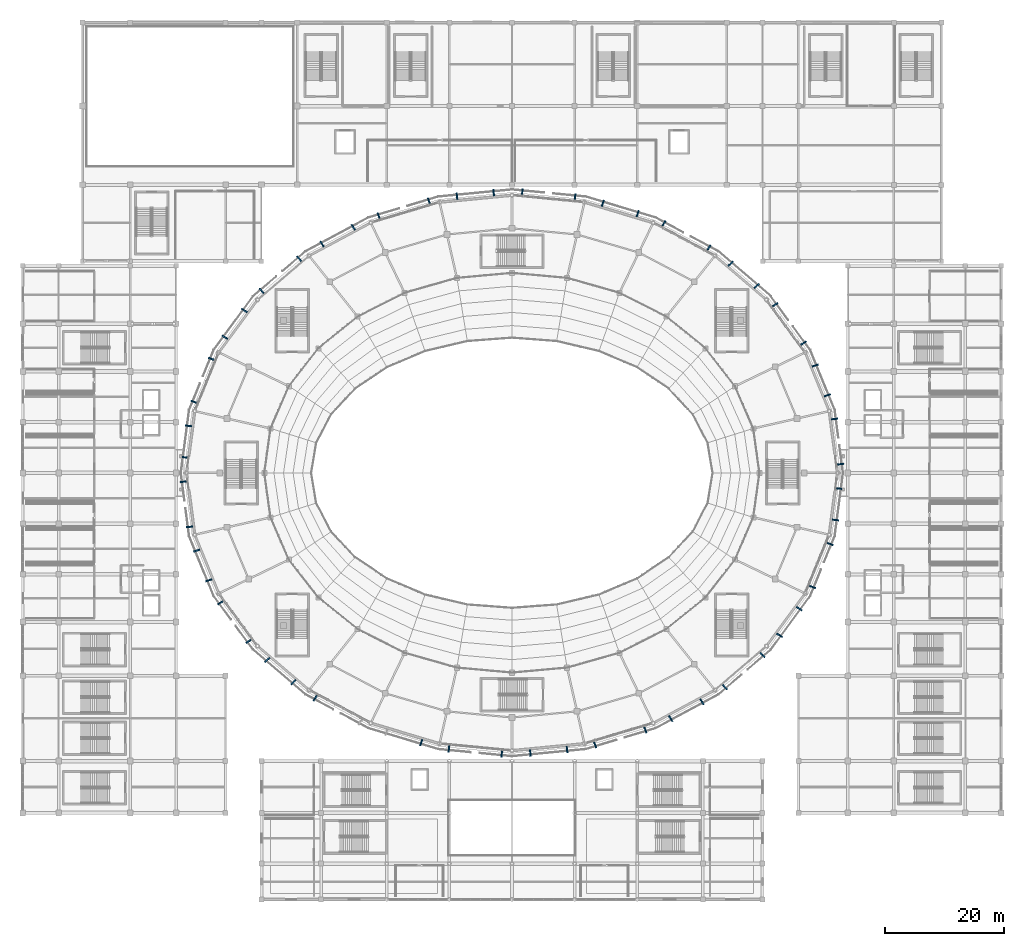
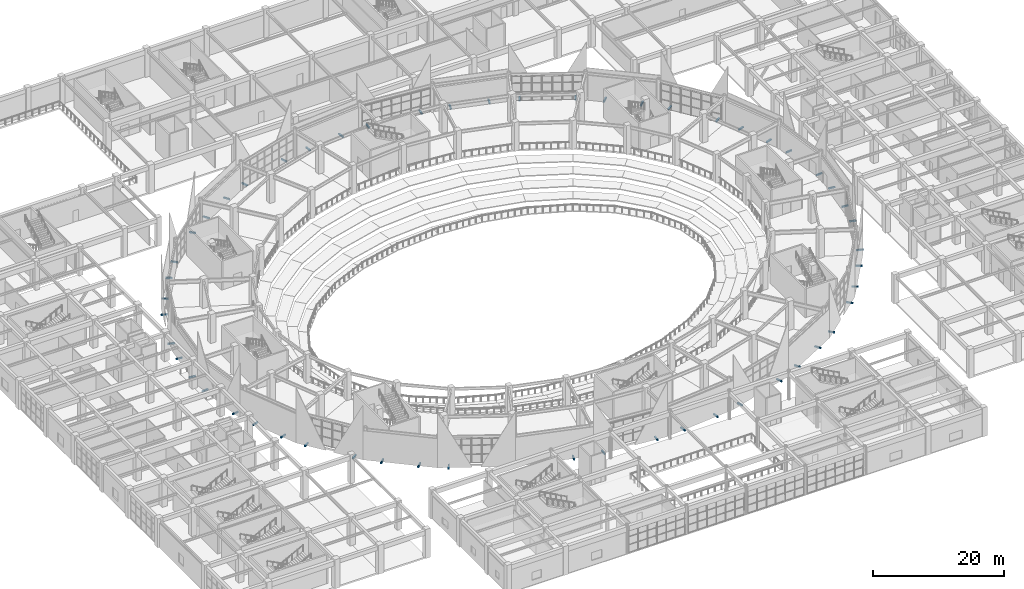
# One storey, part 89 of 120: 54 discrete accessories.
"""IFC4 building model written with IfcOpenShell, lengths in metres."""

from ifc_helpers import new_model, si_unit, direction, frame, origin, origin_2d, place, context, subcontext, project, spatial, rectangle, extrude, material, type_object, element, save


model = new_model("IFC4")

# Units and contexts
model_context = context("Model", 3, precision=1e-05, world=origin(), true_north=direction((0.0, 1.0)))
body_context = subcontext(model_context, "Body", "Model", "MODEL_VIEW")
ifc_project = project(units=[si_unit("LENGTHUNIT", "METRE"), si_unit("AREAUNIT", "SQUARE_METRE"), si_unit("VOLUMEUNIT", "CUBIC_METRE"), si_unit("PLANEANGLEUNIT", "RADIAN"), si_unit("MASSUNIT", "GRAM", prefix="KILO")], contexts=[model_context])

# Site, building, storey
site_placement = place(None, origin())
site = spatial("IfcSite", under=ifc_project, at=site_placement, CompositionType="ELEMENT")
building_placement = place(site_placement, origin())
building = spatial("IfcBuilding", under=site, at=building_placement, Name="Cuetzalor Civic Arena", CompositionType="ELEMENT")
storey_placement = place(building_placement, frame((0.0, 0.0, 6.0)))
storey = spatial("IfcBuildingStorey", under=building, at=storey_placement, Name="L01", CompositionType="ELEMENT", Elevation=6.0)

# Discrete accessories
ifc_material = material(Name="Steel S355", Category="steel")
discrete_accessory_type = type_object("IfcDiscreteAccessoryType", Name="ScreenOutriggerBracket_S355", PredefinedType="BRACKET", material=ifc_material)
for number, where, z_axis, x_axis, name in (
    (1, (54.083251953125, 9.046875, -0.27978515625), (0.0, 0.0, 1.0), (0.993709417943, 0.111989252568, 0.0), "Drum Screen Triangle Outrigger Bracket L01-0001"),
    (2, (55.0810546875, 1.472900390625, -0.27978515625), (0.0, 0.0, 1.0), (0.993709417943, 0.111989252568, 0.0), "Drum Screen Triangle Outrigger Bracket L01-0002"),
    (3, (50.822998046875, 18.013916015625, -0.27978515625), (0.0, 0.0, 1.0), (0.943858622852, 0.330349663339, 0.0), "Drum Screen Outrigger Bracket L01-0010"),
    (4, (52.8671875, 13.017578125, -0.27978515625), (0.0, 0.0, 1.0), (0.943858622852, 0.330349663339, 0.0), "Drum Screen Outrigger Bracket L01-0011"),
    (5, (44.1376953125, 28.220703125, -0.27978515625), (0.0, 0.0, 1.0), (0.846657866138, 0.532137630417, 0.0), "Drum Screen Triangle Outrigger Bracket L01-0021"),
    (6, (48.879150390625, 21.766845703125, -0.27978515625), (0.0, 0.0, 1.0), (0.846657866138, 0.532137630417, 0.0), "Drum Screen Triangle Outrigger Bracket L01-0022"),
    (7, (36.651611328125, 35.089599609375, -0.27978515625), (0.0, 0.0, 1.0), (0.707106781187, 0.707106781187, 0.0), "Drum Screen Outrigger Bracket L01-0030"),
    (8, (41.027587890625, 31.346923828125, -0.27978515625), (0.0, 0.0, 1.0), (0.707106781187, 0.707106781187, 0.0), "Drum Screen Outrigger Bracket L01-0031"),
    (9, (25.4501953125, 41.8046875, -0.27978515625), (0.0, 0.0, 1.0), (0.531989852639, 0.84675072878, 0.0), "Drum Screen Triangle Outrigger Bracket L01-0041"),
    (10, (32.99609375, 37.74951171875, -0.27978515625), (0.0, 0.0, 1.0), (0.531989852639, 0.84675072878, 0.0), "Drum Screen Triangle Outrigger Bracket L01-0042"),
    (11, (15.220703125, 45.215576171875, -0.27978515625), (0.0, 0.0, 1.0), (0.330184923902, 0.943916265369, 0.0), "Drum Screen Outrigger Bracket L01-0050"),
    (12, (21.06201171875, 43.46728515625, -0.27978515625), (0.0, 0.0, 1.0), (0.330184923902, 0.943916265369, 0.0), "Drum Screen Outrigger Bracket L01-0051"),
    (13, (1.721923828125, 47.109130859375, -0.27978515625), (0.0, 0.0, 1.0), (0.111989252568, 0.993709417943, 0.0), "Drum Screen Triangle Outrigger Bracket L01-0061"),
    (14, (10.577880859375, 46.255615234375, -0.27978515625), (0.0, 0.0, 1.0), (0.111989252568, 0.993709417943, 0.0), "Drum Screen Triangle Outrigger Bracket L01-0062"),
    (15, (-9.224853515625, 46.385986328125, -0.27978515625), (0.0, 0.0, 1.0), (-0.111989252568, 0.993709417943, 0.0), "Drum Screen Outrigger Bracket L01-0070"),
    (16, (-3.074951171875, 46.978759765625, -0.27978515625), (0.0, 0.0, 1.0), (-0.111989252568, 0.993709417943, 0.0), "Drum Screen Outrigger Bracket L01-0071"),
    (17, (-22.347412109375, 43.082763671875, -0.27978515625), (0.0, 0.0, 1.0), (-0.330184923902, 0.943916265369, 0.0), "Drum Screen Triangle Outrigger Bracket L01-0081"),
    (18, (-13.935546875, 45.60009765625, -0.27978515625), (0.0, 0.0, 1.0), (-0.330184923902, 0.943916265369, 0.0), "Drum Screen Triangle Outrigger Bracket L01-0082"),
    (19, (-31.84326171875, 38.369140625, -0.27978515625), (0.0, 0.0, 1.0), (-0.531989852639, 0.84675072878, 0.0), "Drum Screen Outrigger Bracket L01-0090"),
    (20, (-26.60302734375, 41.185302734375, -0.27978515625), (0.0, 0.0, 1.0), (-0.531989852639, 0.84675072878, 0.0), "Drum Screen Outrigger Bracket L01-0091"),
    (21, (-41.990478515625, 30.5234375, -0.27978515625), (0.0, 0.0, 1.0), (-0.707106781187, 0.707106781187, 0.0), "Drum Screen Triangle Outrigger Bracket L01-0101"),
    (22, (-35.688720703125, 35.9130859375, -0.27978515625), (0.0, 0.0, 1.0), (-0.707106781187, 0.707106781187, 0.0), "Drum Screen Triangle Outrigger Bracket L01-0102"),
    (23, (-48.15478515625, 22.752685546875, -0.27978515625), (0.0, 0.0, 1.0), (-0.846657866138, 0.532137630417, 0.0), "Drum Screen Outrigger Bracket L01-0110"),
    (24, (-44.862060546875, 27.234619140625, -0.27978515625), (0.0, 0.0, 1.0), (-0.846657866138, 0.532137630417, 0.0), "Drum Screen Outrigger Bracket L01-0111"),
    (25, (-53.31689453125, 11.918701171875, -0.27978515625), (0.0, 0.0, 1.0), (-0.943858622852, 0.330349663339, 0.0), "Drum Screen Triangle Outrigger Bracket L01-0121"),
    (26, (-50.373291015625, 19.11279296875, -0.27978515625), (0.0, 0.0, 1.0), (-0.943858622852, 0.330349663339, 0.0), "Drum Screen Triangle Outrigger Bracket L01-0122"),
    (27, (-54.928466796875, 2.6298828125, -0.27978515625), (0.0, 0.0, 1.0), (-0.993709417943, 0.111989252568, 0.0), "Drum Screen Outrigger Bracket L01-0130"),
    (28, (-54.235595703125, 7.8896484375, -0.27978515625), (0.0, 0.0, 1.0), (-0.993709417943, 0.111989252568, 0.0), "Drum Screen Outrigger Bracket L01-0131"),
    (29, (-54.083251953125, -9.046875, -0.27978515625), (0.0, 0.0, 1.0), (-0.993709417943, -0.111989252568, 0.0), "Drum Screen Triangle Outrigger Bracket L01-0141"),
    (30, (-55.0810546875, -1.472900390625, -0.27978515625), (0.0, 0.0, 1.0), (-0.993709417943, -0.111989252568, 0.0), "Drum Screen Triangle Outrigger Bracket L01-0142"),
    (31, (-50.822998046875, -18.013916015625, -0.27978515625), (0.0, 0.0, 1.0), (-0.943858622852, -0.330349663339, 0.0), "Drum Screen Outrigger Bracket L01-0150"),
    (32, (-52.8671875, -13.017578125, -0.27978515625), (0.0, 0.0, 1.0), (-0.943858622852, -0.330349663339, 0.0), "Drum Screen Outrigger Bracket L01-0151"),
    (33, (-44.1376953125, -28.220703125, -0.27978515625), (0.0, 0.0, 1.0), (-0.846657866138, -0.532137630417, 0.0), "Drum Screen Triangle Outrigger Bracket L01-0161"),
    (34, (-48.879150390625, -21.766845703125, -0.27978515625), (0.0, 0.0, 1.0), (-0.846657866138, -0.532137630417, 0.0), "Drum Screen Triangle Outrigger Bracket L01-0162"),
    (35, (-36.651611328125, -35.089599609375, -0.27978515625), (0.0, 0.0, 1.0), (-0.707106781187, -0.707106781187, 0.0), "Drum Screen Outrigger Bracket L01-0170"),
    (36, (-41.027587890625, -31.346923828125, -0.27978515625), (0.0, 0.0, 1.0), (-0.707106781187, -0.707106781187, 0.0), "Drum Screen Outrigger Bracket L01-0171"),
    (37, (-32.99609375, -37.74951171875, -0.27978515625), (0.0, 0.0, 1.0), (-0.531989852639, -0.84675072878, 0.0), "Drum Screen Triangle Outrigger Bracket L01-0182"),
    (38, (-15.220703125, -45.215576171875, -0.27978515625), (0.0, 0.0, 1.0), (-0.330184923902, -0.943916265369, 0.0), "Drum Screen Outrigger Bracket L01-0190"),
    (39, (-1.721923828125, -47.109130859375, -0.27978515625), (0.0, 0.0, 1.0), (-0.111989252568, -0.993709417943, 0.0), "Drum Screen Triangle Outrigger Bracket L01-0201"),
    (40, (-10.577880859375, -46.255615234375, -0.27978515625), (0.0, 0.0, 1.0), (-0.111989252568, -0.993709417943, 0.0), "Drum Screen Triangle Outrigger Bracket L01-0202"),
    (41, (9.224853515625, -46.385986328125, -0.27978515625), (0.0, 0.0, 1.0), (0.111989252568, -0.993709417943, 0.0), "Drum Screen Outrigger Bracket L01-0210"),
    (42, (3.074951171875, -46.978759765625, -0.27978515625), (0.0, 0.0, 1.0), (0.111989252568, -0.993709417943, 0.0), "Drum Screen Outrigger Bracket L01-0211"),
    (43, (22.347412109375, -43.082763671875, -0.27978515625), (0.0, 0.0, 1.0), (0.330184923902, -0.943916265369, 0.0), "Drum Screen Triangle Outrigger Bracket L01-0221"),
    (44, (13.935546875, -45.60009765625, -0.27978515625), (0.0, 0.0, 1.0), (0.330184923902, -0.943916265369, 0.0), "Drum Screen Triangle Outrigger Bracket L01-0222"),
    (45, (31.84326171875, -38.369140625, -0.27978515625), (0.0, 0.0, 1.0), (0.531989852639, -0.84675072878, 0.0), "Drum Screen Outrigger Bracket L01-0230"),
    (46, (26.60302734375, -41.185302734375, -0.27978515625), (0.0, 0.0, 1.0), (0.531989852639, -0.84675072878, 0.0), "Drum Screen Outrigger Bracket L01-0231"),
    (47, (41.990478515625, -30.5234375, -0.27978515625), (0.0, 0.0, 1.0), (0.707106781187, -0.707106781187, 0.0), "Drum Screen Triangle Outrigger Bracket L01-0241"),
    (48, (35.688720703125, -35.9130859375, -0.27978515625), (0.0, 0.0, 1.0), (0.707106781187, -0.707106781187, 0.0), "Drum Screen Triangle Outrigger Bracket L01-0242"),
    (49, (48.15478515625, -22.752685546875, -0.27978515625), (0.0, 0.0, 1.0), (0.846657866138, -0.532137630417, 0.0), "Drum Screen Outrigger Bracket L01-0250"),
    (50, (44.862060546875, -27.234619140625, -0.27978515625), (0.0, 0.0, 1.0), (0.846657866138, -0.532137630417, 0.0), "Drum Screen Outrigger Bracket L01-0251"),
    (51, (53.31689453125, -11.918701171875, -0.27978515625), (0.0, 0.0, 1.0), (0.943858622852, -0.330349663339, 0.0), "Drum Screen Triangle Outrigger Bracket L01-0261"),
    (52, (50.373291015625, -19.11279296875, -0.27978515625), (0.0, 0.0, 1.0), (0.943858622852, -0.330349663339, 0.0), "Drum Screen Triangle Outrigger Bracket L01-0262"),
    (53, (54.928466796875, -2.6298828125, -0.27978515625), (0.0, 0.0, 1.0), (0.993709417943, -0.111989252568, 0.0), "Drum Screen Outrigger Bracket L01-0270"),
    (54, (54.235595703125, -7.8896484375, -0.27978515625), (0.0, 0.0, 1.0), (0.993709417943, -0.111989252568, 0.0), "Drum Screen Outrigger Bracket L01-0271"),
):
    element("IfcDiscreteAccessory", number, at=place(storey_placement, frame(where, z_axis=z_axis, x_axis=x_axis)), inside=storey, type_object=discrete_accessory_type, Name=name, PredefinedType="BRACKET", context=body_context, shape_type="SweptSolid", body=[
        extrude(rectangle(XDim=1.10009765625, YDim=0.239990234375, at=origin_2d()), origin(), (0.0, 0.0, 1.0), 0.260009765625),
    ])

save(model, "model.ifc")
